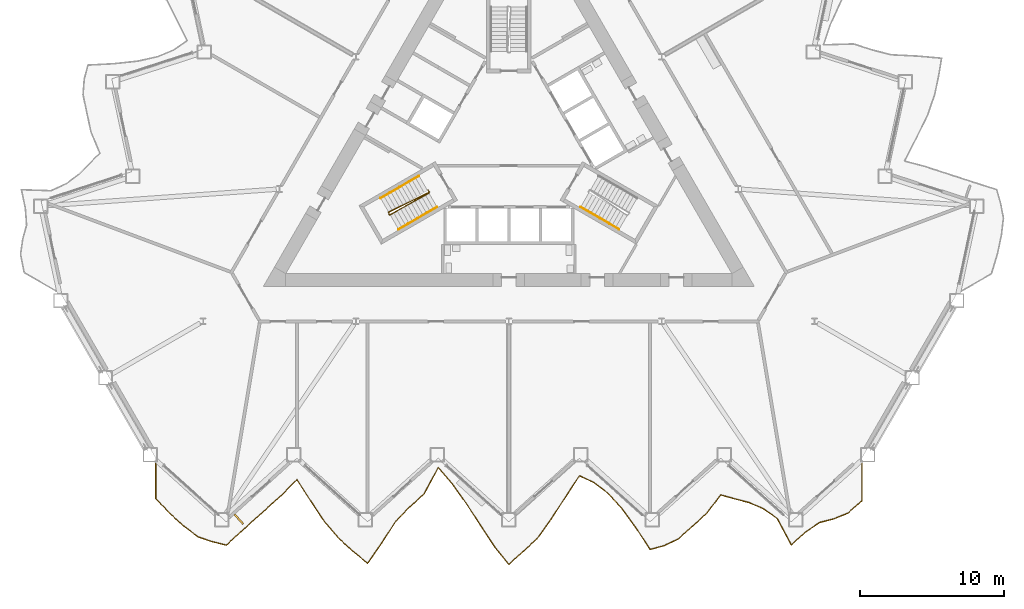
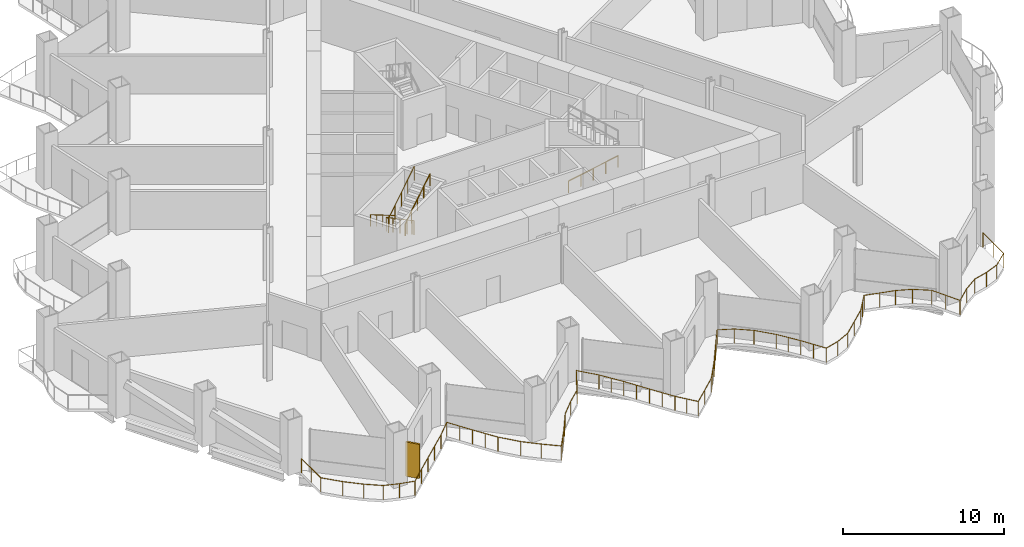
# One storey, part 16 of 20: 5 railings, 1 shading device.
"""IFC4 building model written with IfcOpenShell, lengths in metres."""

from ifc_helpers import new_model, si_unit, direction, frame, origin, origin_2d, place, context, subcontext, project, spatial, rectangle, circle, extrude, material, layer, layer_set, type_object, element, save


model = new_model("IFC4")

# Units and contexts
model_context = context("Model", 3, precision=1e-05, world=origin(), true_north=direction((0.0, 1.0)))
body_context = subcontext(model_context, "Body", "Model", "MODEL_VIEW")
ifc_project = project(units=[si_unit("LENGTHUNIT", "METRE"), si_unit("AREAUNIT", "SQUARE_METRE"), si_unit("VOLUMEUNIT", "CUBIC_METRE"), si_unit("PLANEANGLEUNIT", "RADIAN"), si_unit("MASSUNIT", "GRAM", prefix="KILO")], contexts=[model_context])

# Site, building, storey
site_placement = place(None, origin())
site = spatial("IfcSite", under=ifc_project, at=site_placement, CompositionType="ELEMENT")
building_placement = place(site_placement, origin())
building = spatial("IfcBuilding", under=site, at=building_placement, Name="Cormorant Prow Tower", CompositionType="ELEMENT")
storey_placement = place(building_placement, frame((0.0, 0.0, 63.60009765625)))
storey = spatial("IfcBuildingStorey", under=building, at=storey_placement, Name="L13", CompositionType="ELEMENT", Elevation=63.60009765625)

# Railings
ifc_material_1 = material(Name="Aluminium 6063-T6", Category="aluminium")
railing_type_1 = type_object("IfcRailingType", Name="Balcony guard 1100", PredefinedType="GUARDRAIL", material=ifc_material_1)
railing_1_placement = place(storey_placement, frame((-24.43896484375, -22.06591796875, 0.0)))
element("IfcRailing", 1, at=railing_1_placement, inside=storey, type_object=railing_type_1, Name="Balcony guard S", PredefinedType="GUARDRAIL", context=body_context, shape_type="SweptSolid", body=[
    extrude(circle(Radius=0.02392578125, at=origin_2d()), frame((0.0, 0.0, 1.076171875), z_axis=(0.0, -1.0, 0.0), x_axis=(1.0, 0.0, 0.0)), (0.0, 0.0, 1.0), 2.40380859375),
    extrude(circle(Radius=0.02392578125, at=origin_2d()), frame((0.0, -2.40380859375, 1.076171875), z_axis=(0.682749378861, -0.730652643645, 0.0), x_axis=(0.730652643645, 0.682749378861, 0.0)), (0.0, 0.0, 1.0), 1.43212890625),
    extrude(circle(Radius=0.02392578125, at=origin_2d()), frame((0.977783203125, -3.4501953125, 1.076171875), z_axis=(0.743164926257, -0.669108281507, 0.0), x_axis=(0.669108281507, 0.743164926257, 0.0)), (0.0, 0.0, 1.0), 1.3154296875),
    extrude(circle(Radius=0.02392578125, at=origin_2d()), frame((1.955322265625, -4.330322265625, 1.076171875), z_axis=(0.800191813283, -0.599744163752, 0.0), x_axis=(0.599744163752, 0.800191813283, 0.0)), (0.0, 0.0, 1.0), 1.2216796875),
    extrude(circle(Radius=0.02392578125, at=origin_2d()), frame((2.932861328125, -5.06298828125, 1.076171875), z_axis=(0.945931449226, -0.324366603344, 0.0), x_axis=(0.324366603344, 0.945931449226, 0.0)), (0.0, 0.0, 1.0), 1.033447265625),
    extrude(circle(Radius=0.02392578125, at=origin_2d()), frame((3.910400390625, -5.398193359375, 1.076171875), z_axis=(0.970710252446, -0.240253211832, 0.0), x_axis=(0.240253211832, 0.970710252446, 0.0)), (0.0, 0.0, 1.0), 1.007080078125),
    extrude(circle(Radius=0.02392578125, at=origin_2d()), frame((4.887939453125, -5.64013671875, 1.076171875), z_axis=(0.73590170634, 0.677088383156, 0.0), x_axis=(-0.677088383156, 0.73590170634, 0.0)), (0.0, 0.0, 1.0), 1.328369140625),
    extrude(circle(Radius=0.02392578125, at=origin_2d()), frame((5.865478515625, -4.74072265625, 1.076171875), z_axis=(0.743164926257, 0.669108281507, 0.0), x_axis=(-0.669108281507, 0.743164926257, 0.0)), (0.0, 0.0, 1.0), 1.3154296875),
    extrude(circle(Radius=0.02392578125, at=origin_2d()), frame((6.843017578125, -3.860595703125, 1.076171875), z_axis=(0.743164926257, 0.669108281507, 0.0), x_axis=(-0.669108281507, 0.743164926257, 0.0)), (0.0, 0.0, 1.0), 1.3154296875),
    extrude(circle(Radius=0.02392578125, at=origin_2d()), frame((7.820556640625, -2.98046875, 1.076171875), z_axis=(0.743072636804, 0.669210771307, 0.0), x_axis=(-0.669210771307, 0.743072636804, 0.0)), (0.0, 0.0, 1.0), 1.3154296875),
    extrude(circle(Radius=0.02392578125, at=origin_2d()), frame((8.798095703125, -2.10009765625, 1.076171875), z_axis=(0.703495793656, 0.710699421913, 0.0), x_axis=(-0.710699421913, 0.703495793656, 0.0)), (0.0, 0.0, 1.0), 1.3896484375),
    extrude(circle(Radius=0.02392578125, at=origin_2d()), frame((9.775634765625, -1.112548828125, 1.076171875), z_axis=(0.541707706486, -0.840566928171, 0.0), x_axis=(0.840566928171, 0.541707706486, 0.0)), (0.0, 0.0, 1.0), 1.804443359375),
    extrude(circle(Radius=0.02392578125, at=origin_2d()), frame((10.753173828125, -2.62939453125, 1.076171875), z_axis=(0.557073835636, -0.830462968259, 0.0), x_axis=(0.830462968259, 0.557073835636, 0.0)), (0.0, 0.0, 1.0), 1.7548828125),
    extrude(circle(Radius=0.02392578125, at=origin_2d()), frame((11.730712890625, -4.086669921875, 1.076171875), z_axis=(0.656227405116, -0.754563180108, 0.0), x_axis=(0.754563180108, 0.656227405116, 0.0)), (0.0, 0.0, 1.0), 1.48974609375),
    extrude(circle(Radius=0.02392578125, at=origin_2d()), frame((12.708251953125, -5.210693359375, 1.076171875), z_axis=(0.743164926257, -0.669108281507, 0.0), x_axis=(0.669108281507, 0.743164926257, 0.0)), (0.0, 0.0, 1.0), 1.3154296875),
    extrude(circle(Radius=0.02392578125, at=origin_2d()), frame((13.685791015625, -6.0908203125, 1.076171875), z_axis=(0.773087932909, -0.634298863306, 0.0), x_axis=(0.634298863306, 0.773087932909, 0.0)), (0.0, 0.0, 1.0), 1.264892578125),
    extrude(circle(Radius=0.02392578125, at=origin_2d()), frame((14.66357421875, -6.89306640625, 1.076171875), z_axis=(0.573702786451, 0.819063558473, 0.0), x_axis=(-0.819063558473, 0.573702786451, 0.0)), (0.0, 0.0, 1.0), 1.703369140625),
    extrude(circle(Radius=0.02392578125, at=origin_2d()), frame((15.640869140625, -5.497802734375, 1.076171875), z_axis=(0.542419899363, 0.840107524532, 0.0), x_axis=(-0.840107524532, 0.542419899363, 0.0)), (0.0, 0.0, 1.0), 1.802734375),
    extrude(circle(Radius=0.02392578125, at=origin_2d()), frame((16.61865234375, -3.9833984375, 1.076171875), z_axis=(0.697894538056, 0.716200540178, 0.0), x_axis=(-0.716200540178, 0.697894538056, 0.0)), (0.0, 0.0, 1.0), 1.400390625),
    extrude(circle(Radius=0.02392578125, at=origin_2d()), frame((17.595947265625, -2.98046875, 1.076171875), z_axis=(0.743155731483, 0.669118493814, 0.0), x_axis=(-0.669118493814, 0.743155731483, 0.0)), (0.0, 0.0, 1.0), 1.315673828125),
    extrude(circle(Radius=0.02392578125, at=origin_2d()), frame((18.57373046875, -2.10009765625, 1.076171875), z_axis=(0.473014567335, 0.88105460619, 0.0), x_axis=(-0.88105460619, 0.473014567335, 0.0)), (0.0, 0.0, 1.0), 2.066650390625),
    extrude(circle(Radius=0.02392578125, at=origin_2d()), frame((19.55126953125, -0.279296875, 1.076171875), z_axis=(0.658667639048, -0.75243401124, 0.0), x_axis=(0.75243401124, 0.658667639048, 0.0)), (0.0, 0.0, 1.0), 1.484130859375),
    extrude(circle(Radius=0.02392578125, at=origin_2d()), frame((20.52880859375, -1.39599609375, 1.076171875), z_axis=(0.578406056715, -0.815749001566, 0.0), x_axis=(0.815749001566, 0.578406056715, 0.0)), (0.0, 0.0, 1.0), 1.68994140625),
    extrude(circle(Radius=0.02392578125, at=origin_2d()), frame((21.50634765625, -2.774658203125, 1.076171875), z_axis=(0.543251278157, -0.839570157152, 0.0), x_axis=(0.839570157152, 0.543251278157, 0.0)), (0.0, 0.0, 1.0), 1.79931640625),
    extrude(circle(Radius=0.02392578125, at=origin_2d()), frame((22.48388671875, -4.285400390625, 1.076171875), z_axis=(0.551580869902, -0.834121420393, 0.0), x_axis=(0.834121420393, 0.551580869902, 0.0)), (0.0, 0.0, 1.0), 1.772216796875),
    extrude(circle(Radius=0.02392578125, at=origin_2d()), frame((23.46142578125, -5.763671875, 1.076171875), z_axis=(0.62928412672, -0.777175326331, 0.0), x_axis=(0.777175326331, 0.62928412672, 0.0)), (0.0, 0.0, 1.0), 1.553466796875),
    extrude(circle(Radius=0.02392578125, at=origin_2d()), frame((24.43896484375, -6.970947265625, 1.076171875), z_axis=(0.743164926257, 0.669108281507, 0.0), x_axis=(-0.669108281507, 0.743164926257, 0.0)), (0.0, 0.0, 1.0), 1.3154296875),
    extrude(circle(Radius=0.02392578125, at=origin_2d()), frame((25.41650390625, -6.0908203125, 1.076171875), z_axis=(0.737368143319, 0.675491096328, 0.0), x_axis=(-0.675491096328, 0.737368143319, 0.0)), (0.0, 0.0, 1.0), 1.32568359375),
    extrude(circle(Radius=0.02392578125, at=origin_2d()), frame((26.39404296875, -5.1953125, 1.076171875), z_axis=(0.583275794096, 0.812274182787, 0.0), x_axis=(-0.812274182787, 0.583275794096, 0.0)), (0.0, 0.0, 1.0), 1.676025390625),
    extrude(circle(Radius=0.02392578125, at=origin_2d()), frame((27.37158203125, -3.833984375, 1.076171875), z_axis=(0.544429050445, 0.838806896152, 0.0), x_axis=(-0.838806896152, 0.544429050445, 0.0)), (0.0, 0.0, 1.0), 1.79541015625),
    extrude(circle(Radius=0.02392578125, at=origin_2d()), frame((28.34912109375, -2.327880859375, 1.076171875), z_axis=(0.549306544143, 0.835620919174, 0.0), x_axis=(-0.835620919174, 0.549306544143, 0.0)), (0.0, 0.0, 1.0), 1.779541015625),
    extrude(circle(Radius=0.02392578125, at=origin_2d()), frame((29.32666015625, -0.8408203125, 1.076171875), z_axis=(0.908218126724, -0.418497113838, 0.0), x_axis=(0.418497113838, 0.908218126724, 0.0)), (0.0, 0.0, 1.0), 1.076416015625),
    extrude(circle(Radius=0.02392578125, at=origin_2d()), frame((30.30419921875, -1.291259765625, 1.076171875), z_axis=(0.797388260187, -0.60346662088, 0.0), x_axis=(0.60346662088, 0.797388260187, 0.0)), (0.0, 0.0, 1.0), 1.226318359375),
    extrude(circle(Radius=0.02392578125, at=origin_2d()), frame((31.281982421875, -2.03125, 1.076171875), z_axis=(0.675801073329, -0.737084058495, 0.0), x_axis=(0.737084058495, 0.675801073329, 0.0)), (0.0, 0.0, 1.0), 1.446044921875),
    extrude(circle(Radius=0.02392578125, at=origin_2d()), frame((32.25927734375, -3.09716796875, 1.076171875), z_axis=(0.588442486829, -0.808539077408, 0.0), x_axis=(0.808539077408, 0.588442486829, 0.0)), (0.0, 0.0, 1.0), 1.66162109375),
    extrude(circle(Radius=0.02392578125, at=origin_2d()), frame((33.237060546875, -4.440673828125, 1.076171875), z_axis=(0.545889180402, -0.837857388056, 0.0), x_axis=(0.837857388056, 0.545889180402, 0.0)), (0.0, 0.0, 1.0), 1.790283203125),
    extrude(circle(Radius=0.02392578125, at=origin_2d()), frame((34.21435546875, -5.940673828125, 1.076171875), z_axis=(0.965085625753, 0.261934600548, 0.0), x_axis=(-0.261934600548, 0.965085625753, 0.0)), (0.0, 0.0, 1.0), 1.01318359375),
    extrude(circle(Radius=0.02392578125, at=origin_2d()), frame((35.192138671875, -5.67529296875, 1.076171875), z_axis=(0.903181318322, 0.429259252939, 0.0), x_axis=(-0.429259252939, 0.903181318322, 0.0)), (0.0, 0.0, 1.0), 1.082275390625),
    extrude(circle(Radius=0.02392578125, at=origin_2d()), frame((36.169677734375, -5.210693359375, 1.076171875), z_axis=(0.743072636804, 0.669210771307, 0.0), x_axis=(-0.669210771307, 0.743072636804, 0.0)), (0.0, 0.0, 1.0), 1.3154296875),
    extrude(circle(Radius=0.02392578125, at=origin_2d()), frame((37.147216796875, -4.330322265625, 1.076171875), z_axis=(0.743164926257, 0.669108281507, 0.0), x_axis=(-0.669108281507, 0.743164926257, 0.0)), (0.0, 0.0, 1.0), 1.3154296875),
    extrude(circle(Radius=0.02392578125, at=origin_2d()), frame((38.124755859375, -3.4501953125, 1.076171875), z_axis=(0.605696771028, 0.795695558343, 0.0), x_axis=(-0.795695558343, 0.605696771028, 0.0)), (0.0, 0.0, 1.0), 1.614013671875),
    extrude(circle(Radius=0.02392578125, at=origin_2d()), frame((39.102294921875, -2.166015625, 1.076171875), z_axis=(0.964580128967, -0.263790020284, 0.0), x_axis=(0.263790020284, 0.964580128967, 0.0)), (0.0, 0.0, 1.0), 1.013427734375),
    extrude(circle(Radius=0.02392578125, at=origin_2d()), frame((40.079833984375, -2.433349609375, 1.076171875), z_axis=(0.966757908223, -0.255693462739, 0.0), x_axis=(0.255693462739, 0.966757908223, 0.0)), (0.0, 0.0, 1.0), 1.01123046875),
    extrude(circle(Radius=0.02392578125, at=origin_2d()), frame((41.057373046875, -2.69189453125, 1.076171875), z_axis=(0.921379612498, -0.3886638775, 0.0), x_axis=(0.3886638775, 0.921379612498, 0.0)), (0.0, 0.0, 1.0), 1.06103515625),
    extrude(circle(Radius=0.02392578125, at=origin_2d()), frame((42.034912109375, -3.104248046875, 1.076171875), z_axis=(0.817770816535, -0.575543996253, 0.0), x_axis=(0.575543996253, 0.817770816535, 0.0)), (0.0, 0.0, 1.0), 1.1953125),
    extrude(circle(Radius=0.02392578125, at=origin_2d()), frame((43.012451171875, -3.792236328125, 1.076171875), z_axis=(0.471394638109, -0.881922386133, 0.0), x_axis=(0.881922386133, 0.471394638109, 0.0)), (0.0, 0.0, 1.0), 2.07373046875),
    extrude(circle(Radius=0.02392578125, at=origin_2d()), frame((43.989990234375, -5.62109375, 1.076171875), z_axis=(0.743072636804, 0.669210771307, 0.0), x_axis=(-0.669210771307, 0.743072636804, 0.0)), (0.0, 0.0, 1.0), 1.3154296875),
    extrude(circle(Radius=0.02392578125, at=origin_2d()), frame((44.967529296875, -4.74072265625, 1.076171875), z_axis=(0.826515469101, 0.562914007053, 0.0), x_axis=(-0.562914007053, 0.826515469101, 0.0)), (0.0, 0.0, 1.0), 1.1826171875),
    extrude(circle(Radius=0.02392578125, at=origin_2d()), frame((45.945068359375, -4.074951171875, 1.076171875), z_axis=(0.968059952368, 0.250718823828, 0.0), x_axis=(-0.250718823828, 0.968059952368, 0.0)), (0.0, 0.0, 1.0), 1.009765625),
    extrude(circle(Radius=0.02392578125, at=origin_2d()), frame((46.922607421875, -3.82177734375, 1.076171875), z_axis=(0.927402596073, 0.374064733431, 0.0), x_axis=(-0.374064733431, 0.927402596073, 0.0)), (0.0, 0.0, 1.0), 1.053955078125),
    extrude(circle(Radius=0.02392578125, at=origin_2d()), frame((47.900146484375, -3.427490234375, 1.076171875), z_axis=(0.751866863447, 0.659314962404, 0.0), x_axis=(-0.659314962404, 0.751866863447, 0.0)), (0.0, 0.0, 1.0), 1.300537109375),
    extrude(circle(Radius=0.02392578125, at=origin_2d()), frame((48.8779296875, -2.570068359375, 1.076171875), z_axis=(0.0, 1.0, 0.0), x_axis=(-1.0, 0.0, 0.0)), (0.0, 0.0, 1.0), 2.570068359375),
    extrude(circle(Radius=0.02099609375, at=origin_2d()), origin(), (0.0, 0.0, 1.0), 1.052001953125),
    extrude(circle(Radius=0.02099609375, at=origin_2d()), frame((0.0, -1.201904296875, 0.0)), (0.0, 0.0, 1.0), 1.052001953125),
    extrude(circle(Radius=0.02099609375, at=origin_2d()), frame((0.0, -2.40380859375, 0.0)), (0.0, 0.0, 1.0), 1.052001953125),
    extrude(circle(Radius=0.02099609375, at=origin_2d()), frame((0.977783203125, -3.4501953125, 0.0)), (0.0, 0.0, 1.0), 1.052001953125),
    extrude(circle(Radius=0.02099609375, at=origin_2d()), frame((1.955322265625, -4.330322265625, 0.0)), (0.0, 0.0, 1.0), 1.052001953125),
    extrude(circle(Radius=0.02099609375, at=origin_2d()), frame((2.932861328125, -5.06298828125, 0.0)), (0.0, 0.0, 1.0), 1.052001953125),
    extrude(circle(Radius=0.02099609375, at=origin_2d()), frame((3.910400390625, -5.398193359375, 0.0)), (0.0, 0.0, 1.0), 1.052001953125),
    extrude(circle(Radius=0.02099609375, at=origin_2d()), frame((4.887939453125, -5.64013671875, 0.0)), (0.0, 0.0, 1.0), 1.052001953125),
    extrude(circle(Radius=0.02099609375, at=origin_2d()), frame((5.865478515625, -4.74072265625, 0.0)), (0.0, 0.0, 1.0), 1.052001953125),
    extrude(circle(Radius=0.02099609375, at=origin_2d()), frame((6.843017578125, -3.860595703125, 0.0)), (0.0, 0.0, 1.0), 1.052001953125),
    extrude(circle(Radius=0.02099609375, at=origin_2d()), frame((7.820556640625, -2.98046875, 0.0)), (0.0, 0.0, 1.0), 1.052001953125),
    extrude(circle(Radius=0.02099609375, at=origin_2d()), frame((8.798095703125, -2.10009765625, 0.0)), (0.0, 0.0, 1.0), 1.052001953125),
    extrude(circle(Radius=0.02099609375, at=origin_2d()), frame((9.775634765625, -1.112548828125, 0.0)), (0.0, 0.0, 1.0), 1.052001953125),
    extrude(circle(Radius=0.02099609375, at=origin_2d()), frame((10.264404296875, -1.87109375, 0.0)), (0.0, 0.0, 1.0), 1.052001953125),
    extrude(circle(Radius=0.02099609375, at=origin_2d()), frame((10.753173828125, -2.62939453125, 0.0)), (0.0, 0.0, 1.0), 1.052001953125),
    extrude(circle(Radius=0.02099609375, at=origin_2d()), frame((11.241943359375, -3.35791015625, 0.0)), (0.0, 0.0, 1.0), 1.052001953125),
    extrude(circle(Radius=0.02099609375, at=origin_2d()), frame((11.730712890625, -4.086669921875, 0.0)), (0.0, 0.0, 1.0), 1.052001953125),
    extrude(circle(Radius=0.02099609375, at=origin_2d()), frame((12.708251953125, -5.210693359375, 0.0)), (0.0, 0.0, 1.0), 1.052001953125),
    extrude(circle(Radius=0.02099609375, at=origin_2d()), frame((13.685791015625, -6.0908203125, 0.0)), (0.0, 0.0, 1.0), 1.052001953125),
    extrude(circle(Radius=0.02099609375, at=origin_2d()), frame((14.66357421875, -6.89306640625, 0.0)), (0.0, 0.0, 1.0), 1.052001953125),
    extrude(circle(Radius=0.02099609375, at=origin_2d()), frame((15.15234375, -6.1953125, 0.0)), (0.0, 0.0, 1.0), 1.052001953125),
    extrude(circle(Radius=0.02099609375, at=origin_2d()), frame((15.640869140625, -5.497802734375, 0.0)), (0.0, 0.0, 1.0), 1.052001953125),
    extrude(circle(Radius=0.02099609375, at=origin_2d()), frame((16.1298828125, -4.74072265625, 0.0)), (0.0, 0.0, 1.0), 1.052001953125),
    extrude(circle(Radius=0.02099609375, at=origin_2d()), frame((16.61865234375, -3.9833984375, 0.0)), (0.0, 0.0, 1.0), 1.052001953125),
    extrude(circle(Radius=0.02099609375, at=origin_2d()), frame((17.595947265625, -2.98046875, 0.0)), (0.0, 0.0, 1.0), 1.052001953125),
    extrude(circle(Radius=0.02099609375, at=origin_2d()), frame((18.57373046875, -2.10009765625, 0.0)), (0.0, 0.0, 1.0), 1.052001953125),
    extrude(circle(Radius=0.02099609375, at=origin_2d()), frame((19.0625, -1.189697265625, 0.0)), (0.0, 0.0, 1.0), 1.052001953125),
    extrude(circle(Radius=0.02099609375, at=origin_2d()), frame((19.55126953125, -0.279296875, 0.0)), (0.0, 0.0, 1.0), 1.052001953125),
    extrude(circle(Radius=0.02099609375, at=origin_2d()), frame((20.52880859375, -1.39599609375, 0.0)), (0.0, 0.0, 1.0), 1.052001953125),
    extrude(circle(Radius=0.02099609375, at=origin_2d()), frame((21.017578125, -2.08544921875, 0.0)), (0.0, 0.0, 1.0), 1.052001953125),
    extrude(circle(Radius=0.02099609375, at=origin_2d()), frame((21.50634765625, -2.774658203125, 0.0)), (0.0, 0.0, 1.0), 1.052001953125),
    extrude(circle(Radius=0.02099609375, at=origin_2d()), frame((21.9951171875, -3.530029296875, 0.0)), (0.0, 0.0, 1.0), 1.052001953125),
    extrude(circle(Radius=0.02099609375, at=origin_2d()), frame((22.48388671875, -4.285400390625, 0.0)), (0.0, 0.0, 1.0), 1.052001953125),
    extrude(circle(Radius=0.02099609375, at=origin_2d()), frame((22.97265625, -5.0244140625, 0.0)), (0.0, 0.0, 1.0), 1.052001953125),
    extrude(circle(Radius=0.02099609375, at=origin_2d()), frame((23.46142578125, -5.763671875, 0.0)), (0.0, 0.0, 1.0), 1.052001953125),
    extrude(circle(Radius=0.02099609375, at=origin_2d()), frame((23.9501953125, -6.3671875, 0.0)), (0.0, 0.0, 1.0), 1.052001953125),
    extrude(circle(Radius=0.02099609375, at=origin_2d()), frame((24.43896484375, -6.970947265625, 0.0)), (0.0, 0.0, 1.0), 1.052001953125),
    extrude(circle(Radius=0.02099609375, at=origin_2d()), frame((25.41650390625, -6.0908203125, 0.0)), (0.0, 0.0, 1.0), 1.052001953125),
    extrude(circle(Radius=0.02099609375, at=origin_2d()), frame((26.39404296875, -5.1953125, 0.0)), (0.0, 0.0, 1.0), 1.052001953125),
    extrude(circle(Radius=0.02099609375, at=origin_2d()), frame((26.8828125, -4.5146484375, 0.0)), (0.0, 0.0, 1.0), 1.052001953125),
    extrude(circle(Radius=0.02099609375, at=origin_2d()), frame((27.37158203125, -3.833984375, 0.0)), (0.0, 0.0, 1.0), 1.052001953125),
    extrude(circle(Radius=0.02099609375, at=origin_2d()), frame((27.8603515625, -3.0810546875, 0.0)), (0.0, 0.0, 1.0), 1.052001953125),
    extrude(circle(Radius=0.02099609375, at=origin_2d()), frame((28.34912109375, -2.327880859375, 0.0)), (0.0, 0.0, 1.0), 1.052001953125),
    extrude(circle(Radius=0.02099609375, at=origin_2d()), frame((28.837890625, -1.58447265625, 0.0)), (0.0, 0.0, 1.0), 1.052001953125),
    extrude(circle(Radius=0.02099609375, at=origin_2d()), frame((29.32666015625, -0.8408203125, 0.0)), (0.0, 0.0, 1.0), 1.052001953125),
    extrude(circle(Radius=0.02099609375, at=origin_2d()), frame((30.30419921875, -1.291259765625, 0.0)), (0.0, 0.0, 1.0), 1.052001953125),
    extrude(circle(Radius=0.02099609375, at=origin_2d()), frame((31.281982421875, -2.03125, 0.0)), (0.0, 0.0, 1.0), 1.052001953125),
    extrude(circle(Radius=0.02099609375, at=origin_2d()), frame((32.25927734375, -3.09716796875, 0.0)), (0.0, 0.0, 1.0), 1.052001953125),
    extrude(circle(Radius=0.02099609375, at=origin_2d()), frame((32.748046875, -3.76904296875, 0.0)), (0.0, 0.0, 1.0), 1.052001953125),
    extrude(circle(Radius=0.02099609375, at=origin_2d()), frame((33.237060546875, -4.440673828125, 0.0)), (0.0, 0.0, 1.0), 1.052001953125),
    extrude(circle(Radius=0.02099609375, at=origin_2d()), frame((33.7255859375, -5.190673828125, 0.0)), (0.0, 0.0, 1.0), 1.052001953125),
    extrude(circle(Radius=0.02099609375, at=origin_2d()), frame((34.21435546875, -5.940673828125, 0.0)), (0.0, 0.0, 1.0), 1.052001953125),
    extrude(circle(Radius=0.02099609375, at=origin_2d()), frame((35.192138671875, -5.67529296875, 0.0)), (0.0, 0.0, 1.0), 1.052001953125),
    extrude(circle(Radius=0.02099609375, at=origin_2d()), frame((36.169677734375, -5.210693359375, 0.0)), (0.0, 0.0, 1.0), 1.052001953125),
    extrude(circle(Radius=0.02099609375, at=origin_2d()), frame((37.147216796875, -4.330322265625, 0.0)), (0.0, 0.0, 1.0), 1.052001953125),
    extrude(circle(Radius=0.02099609375, at=origin_2d()), frame((38.124755859375, -3.4501953125, 0.0)), (0.0, 0.0, 1.0), 1.052001953125),
    extrude(circle(Radius=0.02099609375, at=origin_2d()), frame((38.613525390625, -2.80810546875, 0.0)), (0.0, 0.0, 1.0), 1.052001953125),
    extrude(circle(Radius=0.02099609375, at=origin_2d()), frame((39.102294921875, -2.166015625, 0.0)), (0.0, 0.0, 1.0), 1.052001953125),
    extrude(circle(Radius=0.02099609375, at=origin_2d()), frame((40.079833984375, -2.433349609375, 0.0)), (0.0, 0.0, 1.0), 1.052001953125),
    extrude(circle(Radius=0.02099609375, at=origin_2d()), frame((41.057373046875, -2.69189453125, 0.0)), (0.0, 0.0, 1.0), 1.052001953125),
    extrude(circle(Radius=0.02099609375, at=origin_2d()), frame((42.034912109375, -3.104248046875, 0.0)), (0.0, 0.0, 1.0), 1.052001953125),
    extrude(circle(Radius=0.02099609375, at=origin_2d()), frame((43.012451171875, -3.792236328125, 0.0)), (0.0, 0.0, 1.0), 1.052001953125),
    extrude(circle(Radius=0.02099609375, at=origin_2d()), frame((43.501220703125, -4.70654296875, 0.0)), (0.0, 0.0, 1.0), 1.052001953125),
    extrude(circle(Radius=0.02099609375, at=origin_2d()), frame((43.989990234375, -5.62109375, 0.0)), (0.0, 0.0, 1.0), 1.052001953125),
    extrude(circle(Radius=0.02099609375, at=origin_2d()), frame((44.967529296875, -4.74072265625, 0.0)), (0.0, 0.0, 1.0), 1.052001953125),
    extrude(circle(Radius=0.02099609375, at=origin_2d()), frame((45.945068359375, -4.074951171875, 0.0)), (0.0, 0.0, 1.0), 1.052001953125),
    extrude(circle(Radius=0.02099609375, at=origin_2d()), frame((46.922607421875, -3.82177734375, 0.0)), (0.0, 0.0, 1.0), 1.052001953125),
    extrude(circle(Radius=0.02099609375, at=origin_2d()), frame((47.900146484375, -3.427490234375, 0.0)), (0.0, 0.0, 1.0), 1.052001953125),
    extrude(circle(Radius=0.02099609375, at=origin_2d()), frame((48.8779296875, -2.570068359375, 0.0)), (0.0, 0.0, 1.0), 1.052001953125),
    extrude(circle(Radius=0.02099609375, at=origin_2d()), frame((48.8779296875, -1.28515625, 0.0)), (0.0, 0.0, 1.0), 1.052001953125),
    extrude(circle(Radius=0.02099609375, at=origin_2d()), frame((48.8779296875, 0.0, 0.0)), (0.0, 0.0, 1.0), 1.052001953125),
])
ifc_material_2 = material(Name="Stainless steel", Category="steel")
railing_type_2 = type_object("IfcRailingType", Name="Stair guard 1100", PredefinedType="GUARDRAIL", material=ifc_material_2)
railing_2_placement = place(storey_placement, frame((-5.585205078125, -3.137939453125, 0.0)))
element("IfcRailing", 2, at=railing_2_placement, inside=storey, type_object=railing_type_2, Name="L13 ST1 stair guard 1", PredefinedType="GUARDRAIL", context=body_context, shape_type="SweptSolid", body=[
    extrude(circle(Radius=0.02392578125, at=origin_2d()), frame((0.0, 0.0, 1.076171875), z_axis=(0.501036270542, -0.865426285481, 0.0), x_axis=(0.865426285481, 0.501036270542, 0.0)), (0.0, 0.0, 1.0), 0.150146484375),
    extrude(circle(Radius=0.02392578125, at=origin_2d()), frame((0.0751953125, -0.1298828125, 1.076171875), z_axis=(-0.744670798681, -0.368745611333, 0.556320119817), x_axis=(0.443754251299, -0.896148516963, 0.0)), (0.0, 0.0, 1.0), 3.774658203125),
    extrude(circle(Radius=0.02392578125, at=origin_2d()), frame((-2.735595703125, -1.521728515625, 3.17578125), z_axis=(0.274721127897, -0.961523947641, 0.0), x_axis=(0.961523947641, 0.274721127897, 0.0)), (0.0, 0.0, 1.0), 0.2060546875),
    extrude(circle(Radius=0.02392578125, at=origin_2d()), frame((-2.678955078125, -1.719970703125, 3.17578125), z_axis=(0.725738344322, 0.403670096391, 0.557094524171), x_axis=(-0.486086505765, 0.873910698477, 0.0)), (0.0, 0.0, 1.0), 3.769775390625),
    extrude(circle(Radius=0.02099609375, at=origin_2d()), origin(), (0.0, 0.0, 1.0), 1.052001953125),
    extrude(circle(Radius=0.02099609375, at=origin_2d()), frame((0.0751953125, -0.1298828125, 0.0)), (0.0, 0.0, 1.0), 1.052001953125),
    extrude(circle(Radius=0.02099609375, at=origin_2d()), frame((-0.62744140625, -0.477783203125, 0.52490234375)), (0.0, 0.0, 1.0), 1.052001953125),
    extrude(circle(Radius=0.02099609375, at=origin_2d()), frame((-1.330078125, -0.82568359375, 1.0498046875)), (0.0, 0.0, 1.0), 1.052001953125),
    extrude(circle(Radius=0.02099609375, at=origin_2d()), frame((-2.032958984375, -1.173828125, 1.574951171875)), (0.0, 0.0, 1.0), 1.052001953125),
    extrude(circle(Radius=0.02099609375, at=origin_2d()), frame((-2.735595703125, -1.521728515625, 2.099853515625)), (0.0, 0.0, 1.0), 1.052001953125),
    extrude(circle(Radius=0.02099609375, at=origin_2d()), frame((-2.678955078125, -1.719970703125, 2.099853515625)), (0.0, 0.0, 1.0), 1.052001953125),
    extrude(circle(Radius=0.02099609375, at=origin_2d()), frame((-1.9951171875, -1.339599609375, 2.625)), (0.0, 0.0, 1.0), 1.052001953125),
    extrude(circle(Radius=0.02099609375, at=origin_2d()), frame((-1.31103515625, -0.958984375, 3.14990234375)), (0.0, 0.0, 1.0), 1.052001953125),
    extrude(circle(Radius=0.02099609375, at=origin_2d()), frame((-0.626953125, -0.57861328125, 3.6748046875)), (0.0, 0.0, 1.0), 1.052001953125),
    extrude(circle(Radius=0.02099609375, at=origin_2d()), frame((0.056884765625, -0.1982421875, 4.199951171875)), (0.0, 0.0, 1.0), 1.052001953125),
])
ifc_material_3 = material(Name="Stainless steel", Category="steel")
railing_type_3 = type_object("IfcRailingType", Name="Stair handrail 900", PredefinedType="HANDRAIL", material=ifc_material_3)
railing_3_placement = place(storey_placement, frame((-6.212890625, -2.150634765625, 0.1748046875)))
element("IfcRailing", 3, at=railing_3_placement, inside=storey, type_object=railing_type_3, Name="L13 ST1 stair handrail 1", PredefinedType="HANDRAIL", context=body_context, shape_type="SweptSolid", body=[
    extrude(circle(Radius=0.02392578125, at=origin_2d()), frame((0.0, 0.0, 0.8759765625), z_axis=(-0.734394994316, -0.423994474112, 0.52999309264), x_axis=(0.499992328818, -0.866029832698, 0.0)), (0.0, 0.0, 1.0), 3.63232421875),
    extrude(circle(Radius=0.02099609375, at=origin_2d()), origin(), (0.0, 0.0, 1.0), 0.851806640625),
    extrude(circle(Radius=0.02099609375, at=origin_2d()), frame((-0.6669921875, -0.385009765625, 0.481201171875)), (0.0, 0.0, 1.0), 0.851806640625),
    extrude(circle(Radius=0.02099609375, at=origin_2d()), frame((-1.333740234375, -0.77001953125, 0.96240234375)), (0.0, 0.0, 1.0), 0.851806640625),
    extrude(circle(Radius=0.02099609375, at=origin_2d()), frame((-2.00048828125, -1.155029296875, 1.44384765625)), (0.0, 0.0, 1.0), 0.851806640625),
    extrude(circle(Radius=0.02099609375, at=origin_2d()), frame((-2.66748046875, -1.5400390625, 1.925048828125)), (0.0, 0.0, 1.0), 0.851806640625),
])
railing_4_placement = place(storey_placement, frame((-7.63623046875, -5.84521484375, 2.27490234375)))
element("IfcRailing", 4, at=railing_4_placement, inside=storey, type_object=railing_type_3, Name="L13 ST1 stair handrail 2", PredefinedType="HANDRAIL", context=body_context, shape_type="SweptSolid", body=[
    extrude(circle(Radius=0.02392578125, at=origin_2d()), frame((0.0, 0.0, 0.8759765625), z_axis=(0.734364028329, 0.424015404183, 0.530019255228), x_axis=(-0.500026652407, 0.866010015463, 0.0)), (0.0, 0.0, 1.0), 3.632080078125),
    extrude(circle(Radius=0.02099609375, at=origin_2d()), origin(), (0.0, 0.0, 1.0), 0.851806640625),
    extrude(circle(Radius=0.02099609375, at=origin_2d()), frame((0.666748046875, 0.385009765625, 0.481201171875)), (0.0, 0.0, 1.0), 0.851806640625),
    extrude(circle(Radius=0.02099609375, at=origin_2d()), frame((1.33349609375, 0.77001953125, 0.96240234375)), (0.0, 0.0, 1.0), 0.851806640625),
    extrude(circle(Radius=0.02099609375, at=origin_2d()), frame((2.00048828125, 1.155029296875, 1.44384765625)), (0.0, 0.0, 1.0), 0.851806640625),
    extrude(circle(Radius=0.02099609375, at=origin_2d()), frame((2.667236328125, 1.5400390625, 1.925048828125)), (0.0, 0.0, 1.0), 0.851806640625),
])
railing_5_placement = place(storey_placement, frame((4.968994140625, -4.30517578125, 0.1748046875)))
element("IfcRailing", 5, at=railing_5_placement, inside=storey, type_object=railing_type_3, Name="L13 ST2 stair handrail 1", PredefinedType="HANDRAIL", context=body_context, shape_type="SweptSolid", body=[
    extrude(circle(Radius=0.02392578125, at=origin_2d()), frame((0.0, 0.0, 0.8759765625), z_axis=(0.734364028329, -0.424015404183, 0.530019255228), x_axis=(0.500026652407, 0.866010015463, 0.0)), (0.0, 0.0, 1.0), 3.632080078125),
    extrude(circle(Radius=0.02099609375, at=origin_2d()), origin(), (0.0, 0.0, 1.0), 0.851806640625),
    extrude(circle(Radius=0.02099609375, at=origin_2d()), frame((0.666748046875, -0.385009765625, 0.481201171875)), (0.0, 0.0, 1.0), 0.851806640625),
    extrude(circle(Radius=0.02099609375, at=origin_2d()), frame((1.33349609375, -0.77001953125, 0.96240234375)), (0.0, 0.0, 1.0), 0.851806640625),
    extrude(circle(Radius=0.02099609375, at=origin_2d()), frame((2.00048828125, -1.155029296875, 1.44384765625)), (0.0, 0.0, 1.0), 0.851806640625),
    extrude(circle(Radius=0.02099609375, at=origin_2d()), frame((2.667236328125, -1.5400390625, 1.925048828125)), (0.0, 0.0, 1.0), 0.851806640625),
])

# Shading device
ifc_material_4 = material(Name="Terracotta", Category="masonry")
ifc_layer = layer(ifc_material_4, 0.1201171875)
ifc_layer_set = layer_set([ifc_layer], Name="Terracotta")
shading_device_type = type_object("IfcShadingDeviceType", Name="Terracotta baguette fin 120x900x2600", PredefinedType="USERDEFINED", material=ifc_layer_set)
shading_device_placement = place(storey_placement, frame((-18.682861328125, -25.910888671875, -0.000244140625), z_axis=(0.0, 0.0, 1.0), x_axis=(0.743144808544, 0.669130625166, 0.0)))
element("IfcShadingDevice", 6, at=shading_device_placement, inside=storey, type_object=shading_device_type, Name="Baguette fin S01", ObjectType="BAGUETTE", PredefinedType="USERDEFINED", context=body_context, shape_type="SweptSolid", body=[
    extrude(rectangle(XDim=0.1201171875, YDim=0.89990234375, at=origin_2d()), origin(), (0.0, 0.0, 1.0), 2.60009765625),
])

save(model, "model.ifc")
